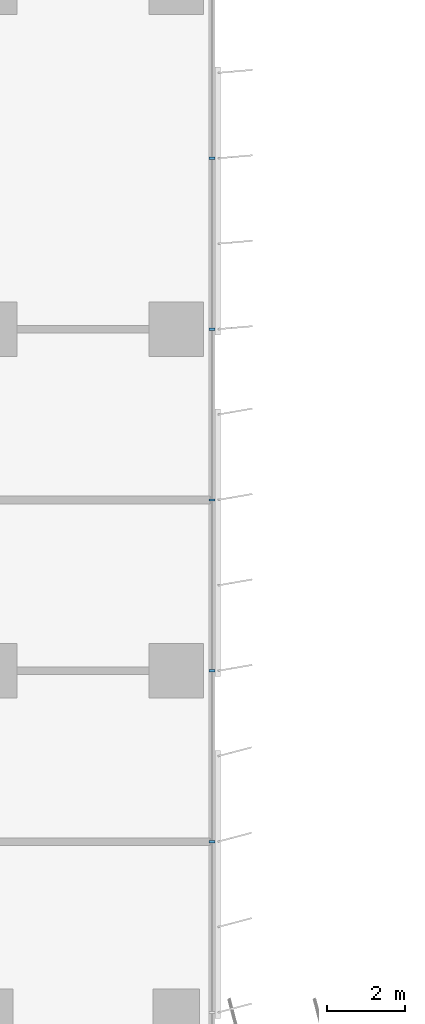
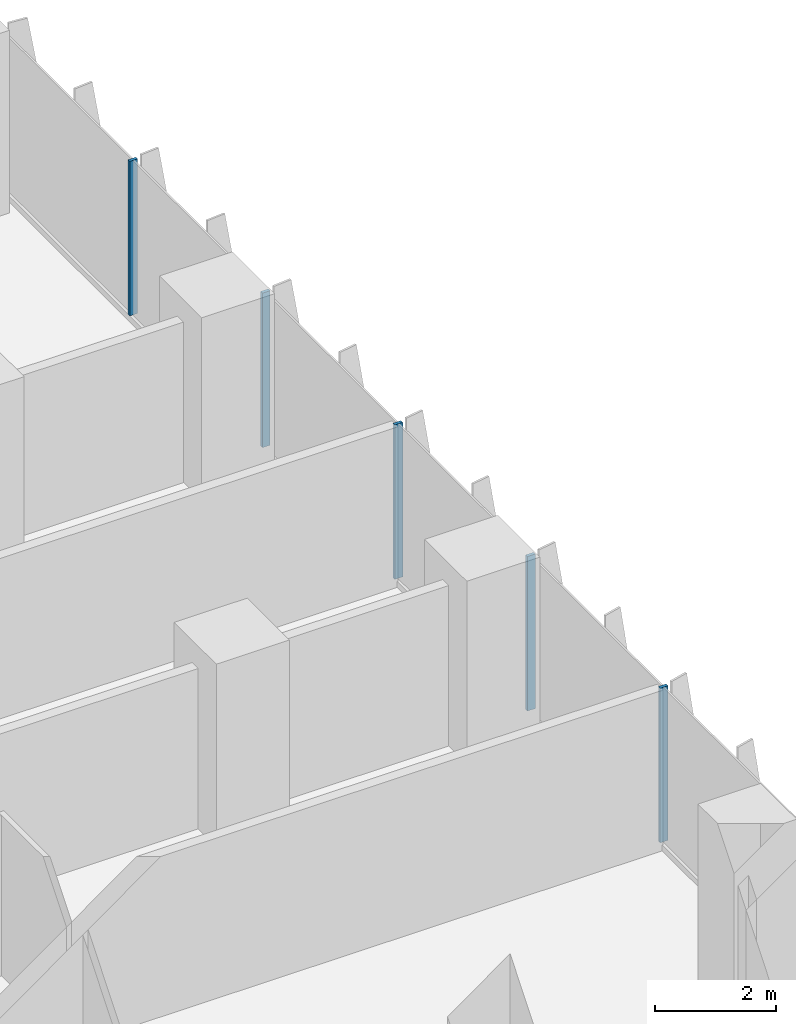
# One storey, part 5 of 23: 5 members, 1 element without a shape of its own.
"""IFC4 building model written with IfcOpenShell, lengths in metres."""

from ifc_helpers import new_model, si_unit, direction, frame, origin, origin_2d, place, context, subcontext, project, spatial, rectangle, extrude, source, transform, mapped, material, material_profile, profile_set, type_object, element, aggregate, save


model = new_model("IFC4")

# Units and contexts
model_context = context("Model", 3, precision=1e-05, world=origin(), true_north=direction((0.0, 1.0)))
body_context = subcontext(model_context, "Body", "Model", "MODEL_VIEW")
ifc_project = project(units=[si_unit("LENGTHUNIT", "METRE"), si_unit("AREAUNIT", "SQUARE_METRE"), si_unit("VOLUMEUNIT", "CUBIC_METRE"), si_unit("PLANEANGLEUNIT", "RADIAN"), si_unit("MASSUNIT", "GRAM", prefix="KILO")], contexts=[model_context])

# Site, building, storey
site_placement = place(None, origin())
site = spatial("IfcSite", under=ifc_project, at=site_placement, CompositionType="ELEMENT")
building_placement = place(site_placement, origin())
building = spatial("IfcBuilding", under=site, at=building_placement, Name="Kemantara Hotel Tower", CompositionType="ELEMENT")
storey_placement = place(building_placement, frame((0.0, 0.0, 67.300048828125)))
storey = spatial("IfcBuildingStorey", under=building, at=storey_placement, Name="L15", CompositionType="ELEMENT", Elevation=67.300048828125)

# Curtain wall, members
ifc_material_1 = material(Name="Low-E tinted double insulated glass 36 mm", Category="glass")
curtain_wall_type = type_object("IfcCurtainWallType", Name="TOWER CURTAIN WALL, FRONT FACES", PredefinedType="USERDEFINED", material=ifc_material_1)
curtain_wall_placement = place(storey_placement, origin())
curtain_wall = element("IfcCurtainWall", 1, at=curtain_wall_placement, inside=storey, type_object=curtain_wall_type, Name="CW4 L15 T1-R08-1", ObjectType="TOWER CURTAIN WALL, FRONT FACES", PredefinedType="USERDEFINED")
ifc_material_2 = material(Name="Aluminium 6063-T6 bronze anodised", Category="aluminium")
ifc_material_profile = material_profile(ifc_material_2, rectangle(XDim=0.14990234375, YDim=0.06005859375, at=origin_2d()), Name="TOWER CURTAIN WALL, FRONT FACES MULLION")
ifc_profile_set = profile_set([ifc_material_profile], Name="Aluminium 6063-T6 bronze anodised")
member_type = type_object("IfcMemberType", Name="TOWER CURTAIN WALL, FRONT FACES MULLION", PredefinedType="MULLION", material=ifc_profile_set)
shared_shape = source(origin(), body_context, "Body", "SweptSolid", [
    extrude(rectangle(XDim=0.14990234375, YDim=0.06005859375, at=origin_2d()), origin(), (0.0, 0.0, 1.0), 3.130126953125),
])
member_1_placement = place(storey_placement, frame((26.72509765625, 31.800048828125, 0.119873046875), z_axis=(0.0, 0.0, 1.0), x_axis=(-1.0, 0.0, 0.0)))
member_1 = element("IfcMember", 2, at=member_1_placement, type_object=member_type, Name="CW4 mullion T1-R08-1.3", PredefinedType="MULLION", context=body_context, shape_type="MappedRepresentation", body=[
    mapped(shared_shape, transform((0.0, 0.0, 0.0))),
])
member_2_placement = place(storey_placement, frame((26.72509765625, 36.199951171875, 0.119873046875), z_axis=(0.0, 0.0, 1.0), x_axis=(-1.0, 0.0, 0.0)))
member_2 = element("IfcMember", 3, at=member_2_placement, type_object=member_type, Name="CW4 mullion T1-R08-1.4", PredefinedType="MULLION", context=body_context, shape_type="MappedRepresentation", body=[
    mapped(shared_shape, transform((0.0, 0.0, 0.0))),
])
member_3_placement = place(storey_placement, frame((26.72509765625, 40.60009765625, 0.119873046875), z_axis=(0.0, 0.0, 1.0), x_axis=(-1.0, 0.0, 0.0)))
member_3 = element("IfcMember", 4, at=member_3_placement, type_object=member_type, Name="CW4 mullion T1-R08-1.5", PredefinedType="MULLION", context=body_context, shape_type="MappedRepresentation", body=[
    mapped(shared_shape, transform((0.0, 0.0, 0.0))),
])
member_4_placement = place(storey_placement, frame((26.72509765625, 45.0, 0.119873046875), z_axis=(0.0, 0.0, 1.0), x_axis=(-1.0, 0.0, 0.0)))
member_4 = element("IfcMember", 5, at=member_4_placement, type_object=member_type, Name="CW4 mullion T1-R08-1.6", PredefinedType="MULLION", context=body_context, shape_type="MappedRepresentation", body=[
    mapped(shared_shape, transform((0.0, 0.0, 0.0))),
])
member_5_placement = place(storey_placement, frame((26.72509765625, 49.39990234375, 0.119873046875), z_axis=(0.0, 0.0, 1.0), x_axis=(-1.0, 0.0, 0.0)))
member_5 = element("IfcMember", 6, at=member_5_placement, type_object=member_type, Name="CW4 mullion T1-R08-1.7", PredefinedType="MULLION", context=body_context, shape_type="MappedRepresentation", body=[
    mapped(shared_shape, transform((0.0, 0.0, 0.0))),
])
aggregate(curtain_wall, [member_1, member_2, member_3, member_4, member_5])

save(model, "model.ifc")
